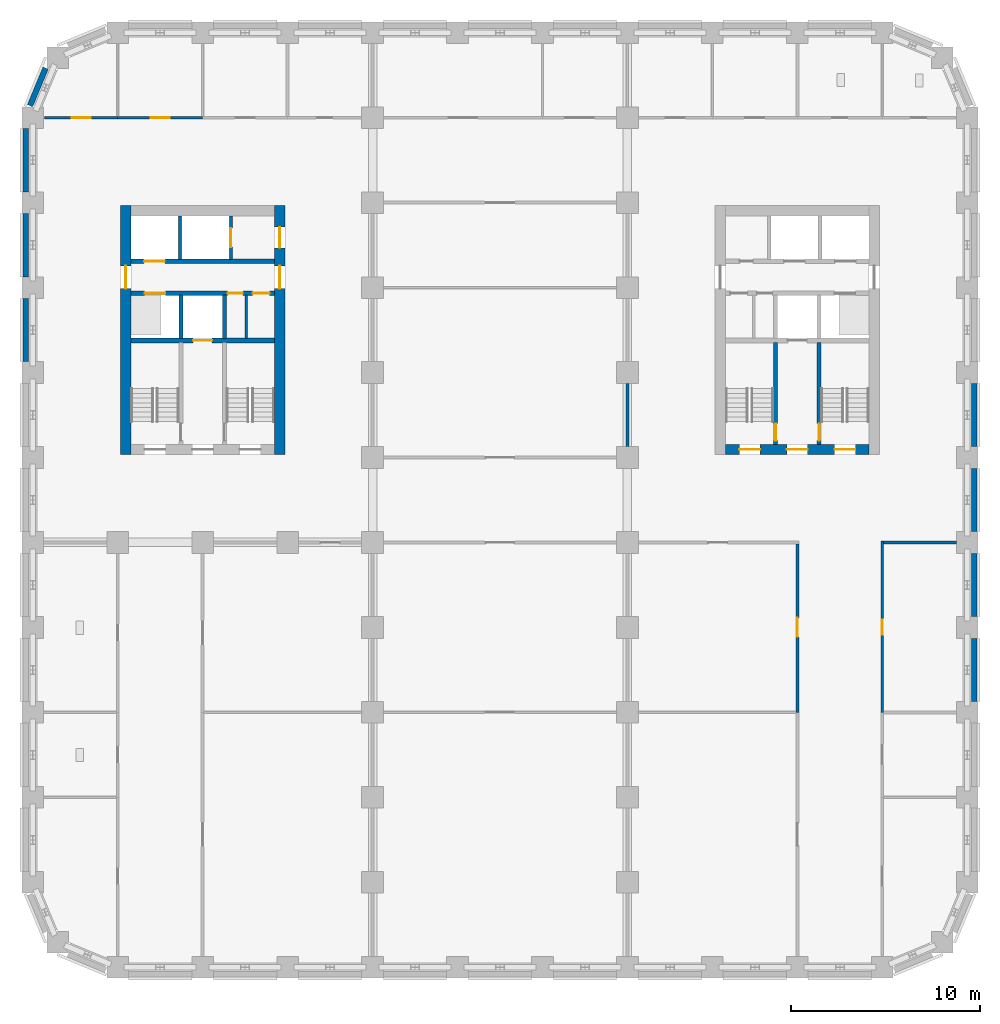
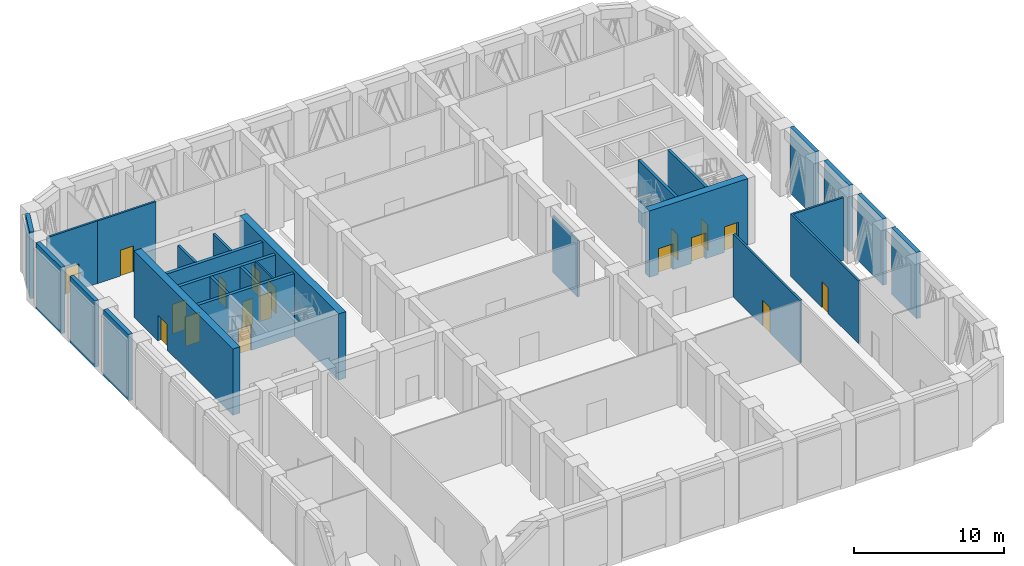
# One storey, part 4 of 11: 27 walls, 18 doors, 18 openings.
"""IFC4 building model written with IfcOpenShell, lengths in metres."""

from ifc_helpers import new_model, si_unit, direction, frame, frame_2d, origin, place, context, subcontext, project, spatial, rectangle, extrude, material, layer, layer_set, type_object, element, fill, save


model = new_model("IFC4")

# Units and contexts
model_context = context("Model", 3, precision=1e-05, world=origin(), true_north=direction((0.0, 1.0)))
body_context = subcontext(model_context, "Body", "Model", "MODEL_VIEW")
ifc_project = project(units=[si_unit("LENGTHUNIT", "METRE"), si_unit("AREAUNIT", "SQUARE_METRE"), si_unit("VOLUMEUNIT", "CUBIC_METRE"), si_unit("PLANEANGLEUNIT", "RADIAN"), si_unit("MASSUNIT", "GRAM", prefix="KILO")], contexts=[model_context])

# Site, building, storey
site_placement = place(None, origin())
site = spatial("IfcSite", under=ifc_project, at=site_placement, CompositionType="ELEMENT")
building_placement = place(site_placement, origin())
building = spatial("IfcBuilding", under=site, at=building_placement, Name="Girih Gate Residences", CompositionType="ELEMENT")
storey_placement = place(building_placement, frame((0.0, 0.0, 124.800048828125)))
storey = spatial("IfcBuildingStorey", under=building, at=storey_placement, Name="L35", CompositionType="ELEMENT", Elevation=124.800048828125)

# Walls
ifc_material_1 = material(Name="Gypsum board on steel studs", Category="steel")
ifc_layer_1 = layer(ifc_material_1, 0.14990234375)
ifc_layer_set_1 = layer_set([ifc_layer_1], Name="Compartment wall 150 mm")
wall_type_1 = type_object("IfcWallType", Name="Compartment wall 150 mm", PredefinedType="PARTITIONING", material=ifc_layer_set_1)
wall_1_placement = place(storey_placement, frame((31.5, 27.574951171875, 0.0), z_axis=(0.0, 0.0, 1.0), x_axis=(0.0, 1.0, 0.0)))
element("IfcWall", 1, at=wall_1_placement, inside=storey, type_object=wall_type_1, Name="L35 partition", PredefinedType="PARTITIONING", context=body_context, shape_type="SweptSolid", body=[
    extrude(rectangle(XDim=3.35009765625, YDim=0.14990234375, at=frame_2d((1.675048828125, 0.0))), origin(), (0.0, 0.0, 1.0), 4.579833984375),
])
wall_2_placement = place(storey_placement, frame((45.074951171875, 22.5, 0.0), z_axis=(0.0, 0.0, 1.0), x_axis=(1.0, 0.0, 0.0)))
element("IfcWall", 2, at=wall_2_placement, inside=storey, type_object=wall_type_1, Name="L35 partition", PredefinedType="PARTITIONING", context=body_context, shape_type="SweptSolid", body=[
    extrude(rectangle(XDim=3.85009765625, YDim=0.14990234375, at=frame_2d((1.925048828125, 0.0))), origin(), (0.0, 0.0, 1.0), 5.099853515625),
])

# Wall, opening, door
wall_3_placement = place(storey_placement, frame((40.5, 13.5, 0.0), z_axis=(0.0, 0.0, 1.0), x_axis=(0.0, 1.0, 0.0)))
wall_3 = element("IfcWall", 3, at=wall_3_placement, inside=storey, type_object=wall_type_1, Name="L35 partition", PredefinedType="PARTITIONING", context=body_context, shape_type="SweptSolid", body=[
    extrude(rectangle(XDim=8.925048828125, YDim=0.14990234375, at=frame_2d((4.46240234375, 0.0))), origin(), (0.0, 0.0, 1.0), 5.099853515625),
])
opening_1_placement = place(wall_3_placement, frame((4.0, 0.0, 0.0)))
opening_1 = element("IfcOpeningElement", 4, at=opening_1_placement, cuts=wall_3, Name="Opening D-L35-S-013", PredefinedType="OPENING", context=body_context, shape_type="SweptSolid", body=[
    extrude(rectangle(XDim=1.0, YDim=2.10009765625, at=frame_2d((0.5, 1.050048828125))), frame((0.0, 0.0849609375, 0.0), z_axis=(0.0, -1.0, 0.0), x_axis=(1.0, 0.0, 0.0)), (0.0, 0.0, 1.0), 0.169921875),
])
ifc_material_2 = material(Name="Timber, fire-rated core", Category="wood")
door_type_1 = type_object("IfcDoorType", Name="Amenity door 1000x2100 FD30S", OperationType="SINGLE_SWING_LEFT", PredefinedType="DOOR", material=ifc_material_2)
door_1_placement = place(opening_1_placement, origin())
door_1 = element("IfcDoor", 5, at=door_1_placement, inside=storey, type_object=door_type_1, Name="Door L35-013", OperationType="SINGLE_SWING_RIGHT", OverallHeight=2.10009765625, OverallWidth=1.0, PredefinedType="DOOR", context=body_context, shape_type="SweptSolid", body=[
    extrude(rectangle(XDim=1.0, YDim=2.10009765625, at=frame_2d((0.5, 1.050048828125))), frame((0.0, 0.02490234375, 0.0), z_axis=(0.0, -1.0, 0.0), x_axis=(1.0, 0.0, 0.0)), (0.0, 0.0, 1.0), 0.050048828125),
])
fill(opening_1, door_1)

wall_4_placement = place(storey_placement, frame((45.0, 22.574951171875, 0.0), z_axis=(0.0, 0.0, 1.0), x_axis=(0.0, -1.0, 0.0)))
wall_4 = element("IfcWall", 6, at=wall_4_placement, inside=storey, type_object=wall_type_1, Name="L35 partition", PredefinedType="PARTITIONING", context=body_context, shape_type="SweptSolid", body=[
    extrude(rectangle(XDim=9.074951171875, YDim=0.14990234375, at=frame_2d((4.53759765625, 0.0))), origin(), (0.0, 0.0, 1.0), 5.099853515625),
])
opening_2_placement = place(wall_4_placement, frame((4.175048828125, 0.0, 0.0)))
opening_2 = element("IfcOpeningElement", 7, at=opening_2_placement, cuts=wall_4, Name="Opening D-L35-S-016", PredefinedType="OPENING", context=body_context, shape_type="SweptSolid", body=[
    extrude(rectangle(XDim=0.800048828125, YDim=2.10009765625, at=frame_2d((0.39990234375, 1.050048828125))), frame((0.0, 0.0849609375, 0.0), z_axis=(0.0, -1.0, 0.0), x_axis=(1.0, 0.0, 0.0)), (0.0, 0.0, 1.0), 0.169921875),
])
ifc_material_3 = material(Name="Timber", Category="wood")
door_type_2 = type_object("IfcDoorType", Name="WC and store door 800x2100", OperationType="SINGLE_SWING_LEFT", PredefinedType="DOOR", material=ifc_material_3)
door_2_placement = place(opening_2_placement, origin())
door_2 = element("IfcDoor", 8, at=door_2_placement, inside=storey, type_object=door_type_2, Name="Door L35-016", OperationType="SINGLE_SWING_RIGHT", OverallHeight=2.10009765625, OverallWidth=0.800048828125, PredefinedType="DOOR", context=body_context, shape_type="SweptSolid", body=[
    extrude(rectangle(XDim=0.800048828125, YDim=2.10009765625, at=frame_2d((0.39990234375, 1.050048828125))), frame((0.0, 0.02490234375, 0.0), z_axis=(0.0, -1.0, 0.0), x_axis=(1.0, 0.0, 0.0)), (0.0, 0.0, 1.0), 0.050048828125),
])
fill(opening_2, door_2)

wall_5_placement = place(storey_placement, frame((0.622314453125, 45.0, 0.0), z_axis=(0.0, 0.0, 1.0), x_axis=(1.0, 0.0, 0.0)))
wall_5 = element("IfcWall", 9, at=wall_5_placement, inside=storey, type_object=wall_type_1, Name="L35 partition", PredefinedType="PARTITIONING", context=body_context, shape_type="SweptSolid", body=[
    extrude(rectangle(XDim=3.877685546875, YDim=0.14990234375, at=frame_2d((1.93896484375, 0.0))), origin(), (0.0, 0.0, 1.0), 5.099853515625),
])
opening_3_placement = place(wall_5_placement, frame((1.438720703125, 0.0, 0.0)))
opening_3 = element("IfcOpeningElement", 10, at=opening_3_placement, cuts=wall_5, Name="Opening D-L35-S-018", PredefinedType="OPENING", context=body_context, shape_type="SweptSolid", body=[
    extrude(rectangle(XDim=1.0, YDim=2.10009765625, at=frame_2d((0.5, 1.050048828125))), frame((0.0, 0.0849609375, 0.0), z_axis=(0.0, -1.0, 0.0), x_axis=(1.0, 0.0, 0.0)), (0.0, 0.0, 1.0), 0.169921875),
])
ifc_material_4 = material(Name="Painted steel, fire-resisting", Category="steel")
door_type_3 = type_object("IfcDoorType", Name="Plant room door 1000x2100 FD60", OperationType="SINGLE_SWING_LEFT", PredefinedType="DOOR", material=ifc_material_4)
door_3_placement = place(opening_3_placement, origin())
door_3 = element("IfcDoor", 11, at=door_3_placement, inside=storey, type_object=door_type_3, Name="Door L35-018", OperationType="SINGLE_SWING_RIGHT", OverallHeight=2.10009765625, OverallWidth=1.0, PredefinedType="DOOR", context=body_context, shape_type="SweptSolid", body=[
    extrude(rectangle(XDim=1.0, YDim=2.10009765625, at=frame_2d((0.5, 1.050048828125))), frame((0.0, 0.02490234375, 0.0), z_axis=(0.0, -1.0, 0.0), x_axis=(1.0, 0.0, 0.0)), (0.0, 0.0, 1.0), 0.050048828125),
])
fill(opening_3, door_3)

wall_6_placement = place(storey_placement, frame((4.5, 45.0, 0.0), z_axis=(0.0, 0.0, 1.0), x_axis=(1.0, 0.0, 0.0)))
wall_6 = element("IfcWall", 12, at=wall_6_placement, inside=storey, type_object=wall_type_1, Name="L35 partition", PredefinedType="PARTITIONING", context=body_context, shape_type="SweptSolid", body=[
    extrude(rectangle(XDim=4.5, YDim=0.14990234375, at=frame_2d((2.25, 0.0))), origin(), (0.0, 0.0, 1.0), 5.099853515625),
])
opening_4_placement = place(wall_6_placement, frame((1.75, 0.0, 0.0)))
opening_4 = element("IfcOpeningElement", 13, at=opening_4_placement, cuts=wall_6, Name="Opening D-L35-S-019", PredefinedType="OPENING", context=body_context, shape_type="SweptSolid", body=[
    extrude(rectangle(XDim=1.0, YDim=2.10009765625, at=frame_2d((0.5, 1.050048828125))), frame((0.0, 0.0849609375, 0.0), z_axis=(0.0, -1.0, 0.0), x_axis=(1.0, 0.0, 0.0)), (0.0, 0.0, 1.0), 0.169921875),
])
door_4_placement = place(opening_4_placement, origin())
door_4 = element("IfcDoor", 14, at=door_4_placement, inside=storey, type_object=door_type_3, Name="Door L35-019", OperationType="SINGLE_SWING_RIGHT", OverallHeight=2.10009765625, OverallWidth=1.0, PredefinedType="DOOR", context=body_context, shape_type="SweptSolid", body=[
    extrude(rectangle(XDim=1.0, YDim=2.10009765625, at=frame_2d((0.5, 1.050048828125))), frame((0.0, 0.02490234375, 0.0), z_axis=(0.0, -1.0, 0.0), x_axis=(1.0, 0.0, 0.0)), (0.0, 0.0, 1.0), 0.050048828125),
])
fill(opening_4, door_4)

ifc_material_5 = material(Name="Concrete C60/75", Category="concrete")
ifc_layer_2 = layer(ifc_material_5, 0.550048828125)
ifc_layer_set_2 = layer_set([ifc_layer_2], Name="Core wall RC 550 Concrete C60/75")
wall_type_2 = type_object("IfcWallType", Name="Core wall RC 550 Concrete C60/75", PredefinedType="SOLIDWALL", material=ifc_layer_set_2)
wall_7_placement = place(storey_placement, frame((4.925048828125, 27.14990234375, 0.0), z_axis=(0.0, 0.0, 1.0), x_axis=(0.0, 1.0, 0.0)))
wall_7 = element("IfcWall", 15, at=wall_7_placement, inside=storey, type_object=wall_type_2, Name="Core wall W-W L35", PredefinedType="SOLIDWALL", context=body_context, shape_type="SweptSolid", body=[
    extrude(rectangle(XDim=13.2001953125, YDim=0.550048828125, at=frame_2d((6.60009765625, 0.0))), origin(), (0.0, 0.0, 1.0), 5.39990234375),
])
opening_5_placement = place(wall_7_placement, frame((8.800048828125, 0.0, 0.0)))
opening_5 = element("IfcOpeningElement", 16, at=opening_5_placement, cuts=wall_7, Name="Opening D-L35-W-013", PredefinedType="OPENING", context=body_context, shape_type="SweptSolid", body=[
    extrude(rectangle(XDim=1.199951171875, YDim=2.10009765625, at=frame_2d((0.60009765625, 1.050048828125))), frame((0.0, 0.284912109375, 0.0), z_axis=(0.0, -1.0, 0.0), x_axis=(1.0, 0.0, 0.0)), (0.0, 0.0, 1.0), 0.570068359375),
])
door_type_4 = type_object("IfcDoorType", Name="Fire door 1200x2100", OperationType="SINGLE_SWING_LEFT", PredefinedType="DOOR", material=ifc_material_4)
door_5_placement = place(opening_5_placement, origin())
door_5 = element("IfcDoor", 17, at=door_5_placement, inside=storey, type_object=door_type_4, Name="L35 W core door ll-w", OperationType="SINGLE_SWING_LEFT", OverallHeight=2.10009765625, OverallWidth=1.199951171875, PredefinedType="DOOR", context=body_context, shape_type="SweptSolid", body=[
    extrude(rectangle(XDim=1.199951171875, YDim=2.10009765625, at=frame_2d((0.60009765625, 1.050048828125))), frame((0.0, 0.02490234375, 0.0), z_axis=(0.0, -1.0, 0.0), x_axis=(1.0, 0.0, 0.0)), (0.0, 0.0, 1.0), 0.050048828125),
])
fill(opening_5, door_5)

# Wall, openings, doors
wall_8_placement = place(storey_placement, frame((13.074951171875, 27.14990234375, 0.0), z_axis=(0.0, 0.0, 1.0), x_axis=(0.0, 1.0, 0.0)))
wall_8 = element("IfcWall", 18, at=wall_8_placement, inside=storey, type_object=wall_type_2, Name="Core wall W-E L35", PredefinedType="SOLIDWALL", context=body_context, shape_type="SweptSolid", body=[
    extrude(rectangle(XDim=13.2001953125, YDim=0.550048828125, at=frame_2d((6.60009765625, 0.0))), origin(), (0.0, 0.0, 1.0), 5.39990234375),
])
opening_6_placement = place(wall_8_placement, frame((10.949951171875, 0.0, 0.0)))
opening_6 = element("IfcOpeningElement", 19, at=opening_6_placement, cuts=wall_8, Name="Opening D-L35-W-012", PredefinedType="OPENING", context=body_context, shape_type="SweptSolid", body=[
    extrude(rectangle(XDim=1.10009765625, YDim=2.10009765625, at=frame_2d((0.550048828125, 1.050048828125))), frame((0.0, 0.284912109375, 0.0), z_axis=(0.0, -1.0, 0.0), x_axis=(1.0, 0.0, 0.0)), (0.0, 0.0, 1.0), 0.570068359375),
])
opening_7_placement = place(wall_8_placement, frame((8.800048828125, 0.0, 0.0)))
opening_7 = element("IfcOpeningElement", 20, at=opening_7_placement, cuts=wall_8, Name="Opening D-L35-W-014", PredefinedType="OPENING", context=body_context, shape_type="SweptSolid", body=[
    extrude(rectangle(XDim=1.199951171875, YDim=2.10009765625, at=frame_2d((0.60009765625, 1.050048828125))), frame((0.0, 0.284912109375, 0.0), z_axis=(0.0, -1.0, 0.0), x_axis=(1.0, 0.0, 0.0)), (0.0, 0.0, 1.0), 0.570068359375),
])
door_type_5 = type_object("IfcDoorType", Name="Fire door 1100x2100", OperationType="SINGLE_SWING_LEFT", PredefinedType="DOOR", material=ifc_material_4)
door_6_placement = place(opening_6_placement, origin())
door_6 = element("IfcDoor", 21, at=door_6_placement, inside=storey, type_object=door_type_5, Name="L35 W core door ffl2-e", OperationType="SINGLE_SWING_LEFT", OverallHeight=2.10009765625, OverallWidth=1.10009765625, PredefinedType="DOOR", context=body_context, shape_type="SweptSolid", body=[
    extrude(rectangle(XDim=1.10009765625, YDim=2.10009765625, at=frame_2d((0.550048828125, 1.050048828125))), frame((0.0, 0.02490234375, 0.0), z_axis=(0.0, -1.0, 0.0), x_axis=(1.0, 0.0, 0.0)), (0.0, 0.0, 1.0), 0.050048828125),
])
fill(opening_6, door_6)
door_7_placement = place(opening_7_placement, origin())
door_7 = element("IfcDoor", 22, at=door_7_placement, inside=storey, type_object=door_type_4, Name="L35 W core door ll-e", OperationType="SINGLE_SWING_LEFT", OverallHeight=2.10009765625, OverallWidth=1.199951171875, PredefinedType="DOOR", context=body_context, shape_type="SweptSolid", body=[
    extrude(rectangle(XDim=1.199951171875, YDim=2.10009765625, at=frame_2d((0.60009765625, 1.050048828125))), frame((0.0, 0.02490234375, 0.0), z_axis=(0.0, -1.0, 0.0), x_axis=(1.0, 0.0, 0.0)), (0.0, 0.0, 1.0), 0.050048828125),
])
fill(opening_7, door_7)

wall_9_placement = place(storey_placement, frame((36.699951171875, 27.425048828125, 0.0), z_axis=(0.0, 0.0, 1.0), x_axis=(1.0, 0.0, 0.0)))
wall_9 = element("IfcWall", 23, at=wall_9_placement, inside=storey, type_object=wall_type_2, Name="Core wall E-S L35", PredefinedType="SOLIDWALL", context=body_context, shape_type="SweptSolid", body=[
    extrude(rectangle(XDim=7.60009765625, YDim=0.550048828125, at=frame_2d((3.800048828125, 0.0))), origin(), (0.0, 0.0, 1.0), 5.39990234375),
])
opening_8_placement = place(wall_9_placement, frame((5.77490234375, 0.0, 0.0)))
opening_8 = element("IfcOpeningElement", 24, at=opening_8_placement, cuts=wall_9, Name="Opening D-L35-E-010", PredefinedType="OPENING", context=body_context, shape_type="SweptSolid", body=[
    extrude(rectangle(XDim=1.10009765625, YDim=2.10009765625, at=frame_2d((0.550048828125, 1.050048828125))), frame((0.0, 0.284912109375, 0.0), z_axis=(0.0, -1.0, 0.0), x_axis=(1.0, 0.0, 0.0)), (0.0, 0.0, 1.0), 0.570068359375),
])
opening_9_placement = place(wall_9_placement, frame((3.25, 0.0, 0.0)))
opening_9 = element("IfcOpeningElement", 25, at=opening_9_placement, cuts=wall_9, Name="Opening D-L35-E-011", PredefinedType="OPENING", context=body_context, shape_type="SweptSolid", body=[
    extrude(rectangle(XDim=1.10009765625, YDim=2.10009765625, at=frame_2d((0.550048828125, 1.050048828125))), frame((0.0, 0.284912109375, 0.0), z_axis=(0.0, -1.0, 0.0), x_axis=(1.0, 0.0, 0.0)), (0.0, 0.0, 1.0), 0.570068359375),
])
opening_10_placement = place(wall_9_placement, frame((0.72509765625, 0.0, 0.0)))
opening_10 = element("IfcOpeningElement", 26, at=opening_10_placement, cuts=wall_9, Name="Opening D-L35-E-012", PredefinedType="OPENING", context=body_context, shape_type="SweptSolid", body=[
    extrude(rectangle(XDim=1.10009765625, YDim=2.10009765625, at=frame_2d((0.550048828125, 1.050048828125))), frame((0.0, 0.284912109375, 0.0), z_axis=(0.0, -1.0, 0.0), x_axis=(1.0, 0.0, 0.0)), (0.0, 0.0, 1.0), 0.570068359375),
])
door_8_placement = place(opening_8_placement, origin())
door_8 = element("IfcDoor", 27, at=door_8_placement, inside=storey, type_object=door_type_5, Name="L35 E core door sta-out", OperationType="SINGLE_SWING_LEFT", OverallHeight=2.10009765625, OverallWidth=1.10009765625, PredefinedType="DOOR", context=body_context, shape_type="SweptSolid", body=[
    extrude(rectangle(XDim=1.10009765625, YDim=2.10009765625, at=frame_2d((0.550048828125, 1.050048828125))), frame((0.0, 0.02490234375, 0.0), z_axis=(0.0, -1.0, 0.0), x_axis=(1.0, 0.0, 0.0)), (0.0, 0.0, 1.0), 0.050048828125),
])
fill(opening_8, door_8)
door_9_placement = place(opening_9_placement, origin())
door_9 = element("IfcDoor", 28, at=door_9_placement, inside=storey, type_object=door_type_5, Name="L35 E core door ffl-out", OperationType="SINGLE_SWING_LEFT", OverallHeight=2.10009765625, OverallWidth=1.10009765625, PredefinedType="DOOR", context=body_context, shape_type="SweptSolid", body=[
    extrude(rectangle(XDim=1.10009765625, YDim=2.10009765625, at=frame_2d((0.550048828125, 1.050048828125))), frame((0.0, 0.02490234375, 0.0), z_axis=(0.0, -1.0, 0.0), x_axis=(1.0, 0.0, 0.0)), (0.0, 0.0, 1.0), 0.050048828125),
])
fill(opening_9, door_9)
door_10_placement = place(opening_10_placement, origin())
door_10 = element("IfcDoor", 29, at=door_10_placement, inside=storey, type_object=door_type_5, Name="L35 E core door stb-out", OperationType="SINGLE_SWING_LEFT", OverallHeight=2.10009765625, OverallWidth=1.10009765625, PredefinedType="DOOR", context=body_context, shape_type="SweptSolid", body=[
    extrude(rectangle(XDim=1.10009765625, YDim=2.10009765625, at=frame_2d((0.550048828125, 1.050048828125))), frame((0.0, 0.02490234375, 0.0), z_axis=(0.0, -1.0, 0.0), x_axis=(1.0, 0.0, 0.0)), (0.0, 0.0, 1.0), 0.050048828125),
])
fill(opening_10, door_10)

# Wall, opening, door
ifc_material_6 = material(Name="Concrete C40/50", Category="concrete")
ifc_layer_3 = layer(ifc_material_6, 0.25)
ifc_layer_set_3 = layer_set([ifc_layer_3], Name="Lift shaft wall 250")
wall_type_3 = type_object("IfcWallType", Name="Lift shaft wall 250", PredefinedType="SOLIDWALL", material=ifc_layer_set_3)
wall_10_placement = place(storey_placement, frame((5.199951171875, 33.199951171875, 0.0), z_axis=(0.0, 0.0, 1.0), x_axis=(1.0, 0.0, 0.0)))
wall_10 = element("IfcWall", 30, at=wall_10_placement, inside=storey, type_object=wall_type_3, Name="L35 W core wall H1", PredefinedType="SOLIDWALL", context=body_context, shape_type="SweptSolid", body=[
    extrude(rectangle(XDim=7.60009765625, YDim=0.25, at=frame_2d((3.800048828125, 0.0))), origin(), (0.0, 0.0, 1.0), 5.099853515625),
])
opening_11_placement = place(wall_10_placement, frame((3.300048828125, 0.0, 0.0)))
opening_11 = element("IfcOpeningElement", 31, at=opening_11_placement, cuts=wall_10, Name="Opening D-L35-W-006", PredefinedType="OPENING", context=body_context, shape_type="SweptSolid", body=[
    extrude(rectangle(XDim=1.0, YDim=2.10009765625, at=frame_2d((0.5, 1.050048828125))), frame((0.0, 0.135009765625, 0.0), z_axis=(0.0, -1.0, 0.0), x_axis=(1.0, 0.0, 0.0)), (0.0, 0.0, 1.0), 0.27001953125),
])
ifc_material_7 = material(Name="Stainless steel, fire-resisting", Category="steel")
door_type_6 = type_object("IfcDoorType", Name="Firefighting lift landing door 1000x2100", OperationType="SLIDING_TO_LEFT", PredefinedType="DOOR", material=ifc_material_7)
door_11_placement = place(opening_11_placement, origin())
door_11 = element("IfcDoor", 32, at=door_11_placement, inside=storey, type_object=door_type_6, Name="L35 lift FF-W landing door", OperationType="SLIDING_TO_LEFT", OverallHeight=2.10009765625, OverallWidth=1.0, PredefinedType="DOOR", context=body_context, shape_type="SweptSolid", body=[
    extrude(rectangle(XDim=1.0, YDim=2.10009765625, at=frame_2d((0.5, 1.050048828125))), frame((0.0, 0.02490234375, 0.0), z_axis=(0.0, -1.0, 0.0), x_axis=(1.0, 0.0, 0.0)), (0.0, 0.0, 1.0), 0.050048828125),
])
fill(opening_11, door_11)

# Wall, openings, doors
wall_11_placement = place(storey_placement, frame((5.199951171875, 35.699951171875, 0.0), z_axis=(0.0, 0.0, 1.0), x_axis=(1.0, 0.0, 0.0)))
wall_11 = element("IfcWall", 33, at=wall_11_placement, inside=storey, type_object=wall_type_3, Name="L35 W core wall H2", PredefinedType="SOLIDWALL", context=body_context, shape_type="SweptSolid", body=[
    extrude(rectangle(XDim=7.60009765625, YDim=0.25, at=frame_2d((3.800048828125, 0.0))), origin(), (0.0, 0.0, 1.0), 5.099853515625),
])
opening_12_placement = place(wall_11_placement, frame((0.72509765625, 0.0, 0.0)))
opening_12 = element("IfcOpeningElement", 34, at=opening_12_placement, cuts=wall_11, Name="Opening D-L35-W-005", PredefinedType="OPENING", context=body_context, shape_type="SweptSolid", body=[
    extrude(rectangle(XDim=1.10009765625, YDim=2.39990234375, at=frame_2d((0.550048828125, 1.199951171875))), frame((0.0, 0.135009765625, 0.0), z_axis=(0.0, -1.0, 0.0), x_axis=(1.0, 0.0, 0.0)), (0.0, 0.0, 1.0), 0.27001953125),
])
opening_13_placement = place(wall_11_placement, frame((5.125, 0.0, 0.0)))
opening_13 = element("IfcOpeningElement", 35, at=opening_13_placement, cuts=wall_11, Name="Opening D-L35-W-007", PredefinedType="OPENING", context=body_context, shape_type="SweptSolid", body=[
    extrude(rectangle(XDim=0.800048828125, YDim=2.10009765625, at=frame_2d((0.39990234375, 1.050048828125))), frame((0.0, 0.135009765625, 0.0), z_axis=(0.0, -1.0, 0.0), x_axis=(1.0, 0.0, 0.0)), (0.0, 0.0, 1.0), 0.27001953125),
])
opening_14_placement = place(wall_11_placement, frame((6.449951171875, 0.0, 0.0)))
opening_14 = element("IfcOpeningElement", 36, at=opening_14_placement, cuts=wall_11, Name="Opening D-L35-W-008", PredefinedType="OPENING", context=body_context, shape_type="SweptSolid", body=[
    extrude(rectangle(XDim=0.89990234375, YDim=2.10009765625, at=frame_2d((0.449951171875, 1.050048828125))), frame((0.0, 0.135009765625, 0.0), z_axis=(0.0, -1.0, 0.0), x_axis=(1.0, 0.0, 0.0)), (0.0, 0.0, 1.0), 0.27001953125),
])
door_type_7 = type_object("IfcDoorType", Name="Fire door 800x2100", OperationType="SINGLE_SWING_LEFT", PredefinedType="DOOR", material=ifc_material_4)
door_12_placement = place(opening_13_placement, origin())
door_12 = element("IfcDoor", 37, at=door_12_placement, inside=storey, type_object=door_type_7, Name="L35 W mechanical electrical room door", OperationType="SINGLE_SWING_LEFT", OverallHeight=2.10009765625, OverallWidth=0.800048828125, PredefinedType="DOOR", context=body_context, shape_type="SweptSolid", body=[
    extrude(rectangle(XDim=0.800048828125, YDim=2.10009765625, at=frame_2d((0.39990234375, 1.050048828125))), frame((0.0, 0.02490234375, 0.0), z_axis=(0.0, -1.0, 0.0), x_axis=(1.0, 0.0, 0.0)), (0.0, 0.0, 1.0), 0.050048828125),
])
fill(opening_13, door_12)
door_type_8 = type_object("IfcDoorType", Name="Fire door 900x2100", OperationType="SINGLE_SWING_LEFT", PredefinedType="DOOR", material=ifc_material_4)
door_13_placement = place(opening_14_placement, origin())
door_13 = element("IfcDoor", 38, at=door_13_placement, inside=storey, type_object=door_type_8, Name="L35 W mechanical store door", OperationType="SINGLE_SWING_LEFT", OverallHeight=2.10009765625, OverallWidth=0.89990234375, PredefinedType="DOOR", context=body_context, shape_type="SweptSolid", body=[
    extrude(rectangle(XDim=0.89990234375, YDim=2.10009765625, at=frame_2d((0.449951171875, 1.050048828125))), frame((0.0, 0.02490234375, 0.0), z_axis=(0.0, -1.0, 0.0), x_axis=(1.0, 0.0, 0.0)), (0.0, 0.0, 1.0), 0.050048828125),
])
fill(opening_14, door_13)
ifc_material_8 = material(Name="Stainless steel", Category="steel")
door_type_9 = type_object("IfcDoorType", Name="Lift landing door 1100x2400", OperationType="SLIDING_TO_LEFT", PredefinedType="DOOR", material=ifc_material_8)
door_14_placement = place(opening_12_placement, origin())
door_14 = element("IfcDoor", 39, at=door_14_placement, inside=storey, type_object=door_type_9, Name="L35 lift HR-W1 landing door", OperationType="SLIDING_TO_LEFT", OverallHeight=2.39990234375, OverallWidth=1.10009765625, PredefinedType="DOOR", context=body_context, shape_type="SweptSolid", body=[
    extrude(rectangle(XDim=1.10009765625, YDim=2.39990234375, at=frame_2d((0.550048828125, 1.199951171875))), frame((0.0, 0.02490234375, 0.0), z_axis=(0.0, -1.0, 0.0), x_axis=(1.0, 0.0, 0.0)), (0.0, 0.0, 1.0), 0.050048828125),
])
fill(opening_12, door_14)

# Wall, opening, door
wall_12_placement = place(storey_placement, frame((5.199951171875, 37.39990234375, 0.0), z_axis=(0.0, 0.0, 1.0), x_axis=(1.0, 0.0, 0.0)))
wall_12 = element("IfcWall", 40, at=wall_12_placement, inside=storey, type_object=wall_type_3, Name="L35 W core wall H3", PredefinedType="SOLIDWALL", context=body_context, shape_type="SweptSolid", body=[
    extrude(rectangle(XDim=7.60009765625, YDim=0.25, at=frame_2d((3.800048828125, 0.0))), origin(), (0.0, 0.0, 1.0), 5.099853515625),
])
opening_15_placement = place(wall_12_placement, frame((0.699951171875, 0.0, 0.0)))
opening_15 = element("IfcOpeningElement", 41, at=opening_15_placement, cuts=wall_12, Name="Opening D-L35-W-003", PredefinedType="OPENING", context=body_context, shape_type="SweptSolid", body=[
    extrude(rectangle(XDim=1.10009765625, YDim=2.39990234375, at=frame_2d((0.550048828125, 1.199951171875))), frame((0.0, 0.135009765625, 0.0), z_axis=(0.0, -1.0, 0.0), x_axis=(1.0, 0.0, 0.0)), (0.0, 0.0, 1.0), 0.27001953125),
])
door_15_placement = place(opening_15_placement, origin())
door_15 = element("IfcDoor", 42, at=door_15_placement, inside=storey, type_object=door_type_9, Name="L35 lift LR-W1 landing door", OperationType="SLIDING_TO_LEFT", OverallHeight=2.39990234375, OverallWidth=1.10009765625, PredefinedType="DOOR", context=body_context, shape_type="SweptSolid", body=[
    extrude(rectangle(XDim=1.10009765625, YDim=2.39990234375, at=frame_2d((0.550048828125, 1.199951171875))), frame((0.0, 0.02490234375, 0.0), z_axis=(0.0, -1.0, 0.0), x_axis=(1.0, 0.0, 0.0)), (0.0, 0.0, 1.0), 0.050048828125),
])
fill(opening_15, door_15)

# Walls
ifc_material_9 = material(Name="Precast concrete C50/60", Category="concrete")
ifc_layer_4 = layer(ifc_material_9, 0.080078125, Name="Outer leaf")
ifc_material_10 = material(Name="Rigid PIR insulation")
ifc_layer_5 = layer(ifc_material_10, 0.14990234375, Name="Insulation")
ifc_material_11 = material(Name="Precast concrete C40/50", Category="concrete")
ifc_layer_6 = layer(ifc_material_11, 0.070068359375, Name="Inner leaf")
ifc_layer_set_4 = layer_set([ifc_layer_4, ifc_layer_5, ifc_layer_6], Name="Precast concrete C50/60 external wall 300")
wall_type_4 = type_object("IfcWallType", Name="Precast concrete C50/60 external wall 300", PredefinedType="SOLIDWALL", material=ifc_layer_set_4)
for number, where, z_axis, x_axis, name in (
    (43, (49.875, 17.425048828125, 0.0), (0.0, 0.0, 1.0), (0.0, -1.0, 0.0), "External wall E0495_0045.2"),
    (44, (49.875, 21.925048828125, 0.0), (0.0, 0.0, 1.0), (0.0, -1.0, 0.0), "External wall E0495_0045.3"),
    (45, (49.875, 26.425048828125, 0.0), (0.0, 0.0, 1.0), (0.0, -1.0, 0.0), "External wall E0495_0045.4"),
    (46, (49.875, 30.925048828125, 0.0), (0.0, 0.0, 1.0), (0.0, -1.0, 0.0), "External wall E0495_0045.5"),
):
    element("IfcWall", number, at=place(storey_placement, frame(where, z_axis=z_axis, x_axis=x_axis)), inside=storey, type_object=wall_type_4, Name=name, PredefinedType="SOLIDWALL", context=body_context, shape_type="SweptSolid", body=[
        extrude(rectangle(XDim=3.35009765625, YDim=0.300048828125, at=frame_2d((1.675048828125, 0.0))), origin(), (0.0, 0.0, 1.0), 5.39990234375),
    ])
wall_13_placement = place(storey_placement, frame((-0.14404296875, 45.63232421875, 0.0), z_axis=(0.0, 0.0, 1.0), x_axis=(0.382723818695, 0.923862802911, 0.0)))
element("IfcWall", 47, at=wall_13_placement, inside=storey, type_object=wall_type_4, Name="External wall NW0013_0482.0", PredefinedType="SOLIDWALL", context=body_context, shape_type="SweptSolid", body=[
    extrude(rectangle(XDim=2.163818359375, YDim=0.300048828125, at=frame_2d((1.08203125, 0.0))), origin(), (0.0, 0.0, 1.0), 5.39990234375),
])
for number, where, z_axis, x_axis, name in (
    (48, (-0.375, 41.074951171875, 0.0), (0.0, 0.0, 1.0), (0.0, 1.0, 0.0), "External wall W0000_0450.0"),
    (49, (-0.375, 36.574951171875, 0.0), (0.0, 0.0, 1.0), (0.0, 1.0, 0.0), "External wall W0000_0450.1"),
    (50, (-0.375, 32.074951171875, 0.0), (0.0, 0.0, 1.0), (0.0, 1.0, 0.0), "External wall W0000_0450.2"),
):
    element("IfcWall", number, at=place(storey_placement, frame(where, z_axis=z_axis, x_axis=x_axis)), inside=storey, type_object=wall_type_4, Name=name, PredefinedType="SOLIDWALL", context=body_context, shape_type="SweptSolid", body=[
        extrude(rectangle(XDim=3.35009765625, YDim=0.300048828125, at=frame_2d((1.675048828125, 0.0))), origin(), (0.0, 0.0, 1.0), 5.39990234375),
    ])
ifc_layer_7 = layer(ifc_material_6, 0.175048828125)
ifc_layer_set_5 = layer_set([ifc_layer_7], Name="Riser shaft wall 175")
wall_type_5 = type_object("IfcWallType", Name="Riser shaft wall 175", PredefinedType="SOLIDWALL", material=ifc_layer_set_5)
wall_14_placement = place(storey_placement, frame((7.800048828125, 37.5, 0.0), z_axis=(0.0, 0.0, 1.0), x_axis=(0.0, 1.0, 0.0)))
element("IfcWall", 51, at=wall_14_placement, inside=storey, type_object=wall_type_5, Name="L35 W core wall V1c", PredefinedType="SOLIDWALL", context=body_context, shape_type="SweptSolid", body=[
    extrude(rectangle(XDim=2.300048828125, YDim=0.175048828125, at=frame_2d((1.14990234375, 0.0))), origin(), (0.0, 0.0, 1.0), 5.099853515625),
])

# Wall, opening, door
wall_15_placement = place(storey_placement, frame((10.5, 37.5, 0.0), z_axis=(0.0, 0.0, 1.0), x_axis=(0.0, 1.0, 0.0)))
wall_15 = element("IfcWall", 52, at=wall_15_placement, inside=storey, type_object=wall_type_5, Name="L35 W core wall V2c", PredefinedType="SOLIDWALL", context=body_context, shape_type="SweptSolid", body=[
    extrude(rectangle(XDim=2.300048828125, YDim=0.175048828125, at=frame_2d((1.14990234375, 0.0))), origin(), (0.0, 0.0, 1.0), 5.099853515625),
])
opening_16_placement = place(wall_15_placement, frame((0.64990234375, 0.0, 0.0)))
opening_16 = element("IfcOpeningElement", 53, at=opening_16_placement, cuts=wall_15, Name="Opening D-L35-W-004", PredefinedType="OPENING", context=body_context, shape_type="SweptSolid", body=[
    extrude(rectangle(XDim=1.0, YDim=2.10009765625, at=frame_2d((0.5, 1.050048828125))), frame((0.0, 0.097412109375, 0.0), z_axis=(0.0, -1.0, 0.0), x_axis=(1.0, 0.0, 0.0)), (0.0, 0.0, 1.0), 0.195068359375),
])
door_16_placement = place(opening_16_placement, origin())
door_16 = element("IfcDoor", 54, at=door_16_placement, inside=storey, type_object=door_type_6, Name="L35 lift FF-W2 landing door", OperationType="SLIDING_TO_LEFT", OverallHeight=2.10009765625, OverallWidth=1.0, PredefinedType="DOOR", context=body_context, shape_type="SweptSolid", body=[
    extrude(rectangle(XDim=1.0, YDim=2.10009765625, at=frame_2d((0.5, 1.050048828125))), frame((0.0, 0.02490234375, 0.0), z_axis=(0.0, -1.0, 0.0), x_axis=(1.0, 0.0, 0.0)), (0.0, 0.0, 1.0), 0.050048828125),
])
fill(opening_16, door_16)

# Walls
ifc_layer_8 = layer(ifc_material_6, 0.199951171875)
ifc_layer_set_6 = layer_set([ifc_layer_8], Name="Shaft wall 200")
wall_type_6 = type_object("IfcWallType", Name="Shaft wall 200", PredefinedType="SOLIDWALL", material=ifc_layer_set_6)
for number, where, z_axis, x_axis, name in (
    (55, (7.85009765625, 33.300048828125, 0.0), (0.0, 0.0, 1.0), (0.0, 1.0, 0.0), "L35 W core wall V1b"),
    (56, (10.14990234375, 33.300048828125, 0.0), (0.0, 0.0, 1.0), (0.0, 1.0, 0.0), "L35 W core wall V2b"),
):
    element("IfcWall", number, at=place(storey_placement, frame(where, z_axis=z_axis, x_axis=x_axis)), inside=storey, type_object=wall_type_6, Name=name, PredefinedType="SOLIDWALL", context=body_context, shape_type="SweptSolid", body=[
        extrude(rectangle(XDim=2.300048828125, YDim=0.199951171875, at=frame_2d((1.14990234375, 0.0))), origin(), (0.0, 0.0, 1.0), 5.099853515625),
    ])

# Wall, opening, door
wall_16_placement = place(storey_placement, frame((41.64990234375, 27.699951171875, 0.0), z_axis=(0.0, 0.0, 1.0), x_axis=(0.0, 1.0, 0.0)))
wall_16 = element("IfcWall", 57, at=wall_16_placement, inside=storey, type_object=wall_type_6, Name="L35 E core wall V1a", PredefinedType="SOLIDWALL", context=body_context, shape_type="SweptSolid", body=[
    extrude(rectangle(XDim=5.400146484375, YDim=0.199951171875, at=frame_2d((2.7001953125, 0.0))), origin(), (0.0, 0.0, 1.0), 5.099853515625),
])
opening_17_placement = place(wall_16_placement, frame((0.199951171875, 0.0, 0.0)))
opening_17 = element("IfcOpeningElement", 58, at=opening_17_placement, cuts=wall_16, Name="Opening D-L35-E-001", PredefinedType="OPENING", context=body_context, shape_type="SweptSolid", body=[
    extrude(rectangle(XDim=0.89990234375, YDim=2.10009765625, at=frame_2d((0.449951171875, 1.050048828125))), frame((0.0, 0.10986328125, 0.0), z_axis=(0.0, -1.0, 0.0), x_axis=(1.0, 0.0, 0.0)), (0.0, 0.0, 1.0), 0.219970703125),
])
door_17_placement = place(opening_17_placement, origin())
door_17 = element("IfcDoor", 59, at=door_17_placement, inside=storey, type_object=door_type_8, Name="L35 E door stair 1 to firefighting lobby", OperationType="SINGLE_SWING_LEFT", OverallHeight=2.10009765625, OverallWidth=0.89990234375, PredefinedType="DOOR", context=body_context, shape_type="SweptSolid", body=[
    extrude(rectangle(XDim=0.89990234375, YDim=2.10009765625, at=frame_2d((0.449951171875, 1.050048828125))), frame((0.0, 0.02490234375, 0.0), z_axis=(0.0, -1.0, 0.0), x_axis=(1.0, 0.0, 0.0)), (0.0, 0.0, 1.0), 0.050048828125),
])
fill(opening_17, door_17)

wall_17_placement = place(storey_placement, frame((39.35009765625, 27.699951171875, 0.0), z_axis=(0.0, 0.0, 1.0), x_axis=(0.0, 1.0, 0.0)))
wall_17 = element("IfcWall", 60, at=wall_17_placement, inside=storey, type_object=wall_type_6, Name="L35 E core wall V2a", PredefinedType="SOLIDWALL", context=body_context, shape_type="SweptSolid", body=[
    extrude(rectangle(XDim=5.400146484375, YDim=0.199951171875, at=frame_2d((2.7001953125, 0.0))), origin(), (0.0, 0.0, 1.0), 5.099853515625),
])
opening_18_placement = place(wall_17_placement, frame((0.199951171875, 0.0, 0.0)))
opening_18 = element("IfcOpeningElement", 61, at=opening_18_placement, cuts=wall_17, Name="Opening D-L35-E-002", PredefinedType="OPENING", context=body_context, shape_type="SweptSolid", body=[
    extrude(rectangle(XDim=0.89990234375, YDim=2.10009765625, at=frame_2d((0.449951171875, 1.050048828125))), frame((0.0, 0.10986328125, 0.0), z_axis=(0.0, -1.0, 0.0), x_axis=(1.0, 0.0, 0.0)), (0.0, 0.0, 1.0), 0.219970703125),
])
door_18_placement = place(opening_18_placement, origin())
door_18 = element("IfcDoor", 62, at=door_18_placement, inside=storey, type_object=door_type_8, Name="L35 E door stair 2 to firefighting lobby", OperationType="SINGLE_SWING_LEFT", OverallHeight=2.10009765625, OverallWidth=0.89990234375, PredefinedType="DOOR", context=body_context, shape_type="SweptSolid", body=[
    extrude(rectangle(XDim=0.89990234375, YDim=2.10009765625, at=frame_2d((0.449951171875, 1.050048828125))), frame((0.0, 0.02490234375, 0.0), z_axis=(0.0, -1.0, 0.0), x_axis=(1.0, 0.0, 0.0)), (0.0, 0.0, 1.0), 0.050048828125),
])
fill(opening_18, door_18)

# Wall
ifc_material_12 = material(Name="Calcium silicate blockwork", Category="masonry")
ifc_layer_9 = layer(ifc_material_12, 0.125)
ifc_layer_set_7 = layer_set([ifc_layer_9], Name="Store partition 125")
wall_type_7 = type_object("IfcWallType", Name="Store partition 125", PredefinedType="PARTITIONING", material=ifc_layer_set_7)
wall_18_placement = place(storey_placement, frame((11.300048828125, 33.300048828125, 0.0), z_axis=(0.0, 0.0, 1.0), x_axis=(0.0, 1.0, 0.0)))
element("IfcWall", 63, at=wall_18_placement, inside=storey, type_object=wall_type_7, Name="L35 W core wall SHR2", PredefinedType="PARTITIONING", context=body_context, shape_type="SweptSolid", body=[
    extrude(rectangle(XDim=2.300048828125, YDim=0.125, at=frame_2d((1.14990234375, 0.0))), origin(), (0.0, 0.0, 1.0), 5.099853515625),
])

save(model, "model.ifc")
